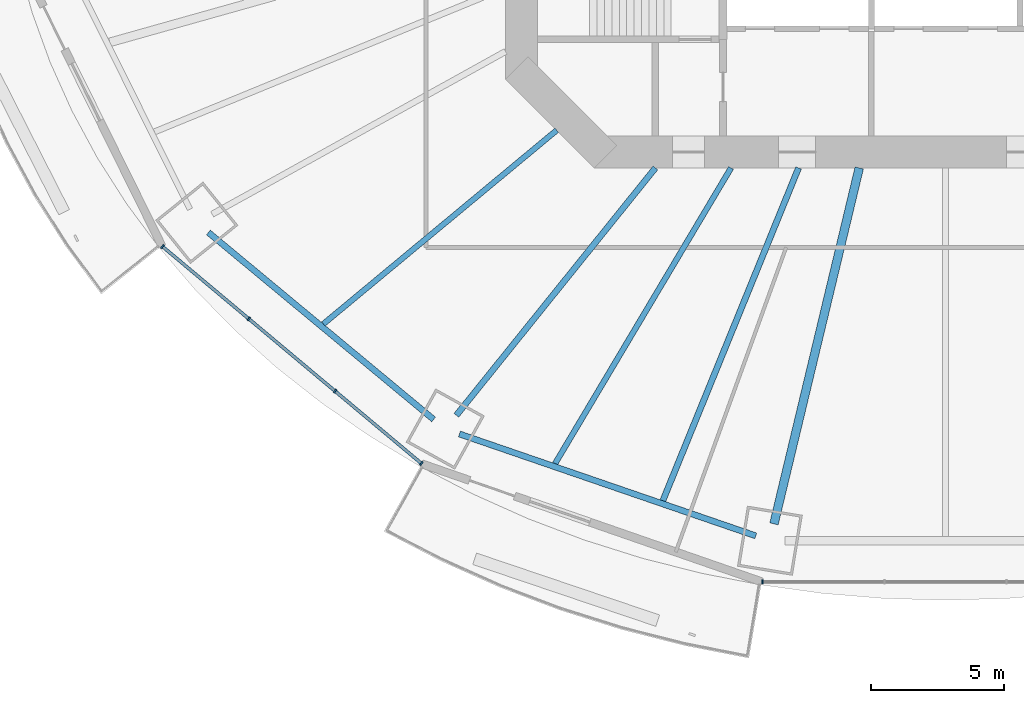
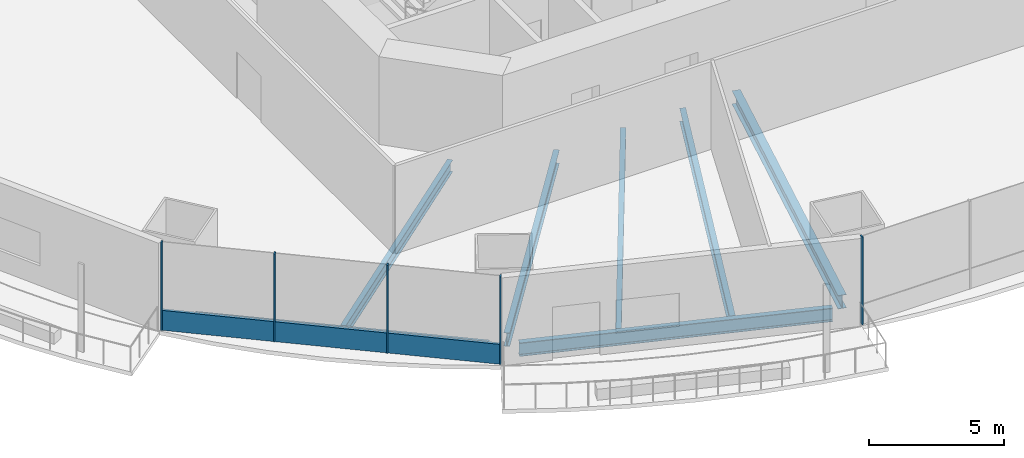
# One storey, part 2 of 22: 7 beams, 6 members, 2 elements without a shape of their own.
"""IFC4 building model written with IfcOpenShell, lengths in metres."""

from ifc_helpers import new_model, si_unit, direction, frame, origin, origin_2d, place, context, subcontext, project, spatial, rectangle, i_section, extrude, material, material_profile, profile_set, type_object, element, aggregate, save


model = new_model("IFC4")

# Units and contexts
model_context = context("Model", 3, precision=1e-05, world=origin(), true_north=direction((0.0, 1.0)))
body_context = subcontext(model_context, "Body", "Model", "MODEL_VIEW")
ifc_project = project(units=[si_unit("LENGTHUNIT", "METRE"), si_unit("AREAUNIT", "SQUARE_METRE"), si_unit("VOLUMEUNIT", "CUBIC_METRE"), si_unit("PLANEANGLEUNIT", "RADIAN"), si_unit("MASSUNIT", "GRAM", prefix="KILO")], contexts=[model_context])

# Site, building, storey
site_placement = place(None, origin())
site = spatial("IfcSite", under=ifc_project, at=site_placement, CompositionType="ELEMENT")
building_placement = place(site_placement, origin())
building = spatial("IfcBuilding", under=site, at=building_placement, Name="Marenthal Gate Tower", CompositionType="ELEMENT")
storey_placement = place(building_placement, frame((0.0, 0.0, 78.64990234375)))
storey = spatial("IfcBuildingStorey", under=building, at=storey_placement, Name="L15", CompositionType="ELEMENT", Elevation=78.64990234375)

# Curtain wall, members
ifc_material_1 = material(Name="Aluminium and glass", Category="aluminium")
curtain_wall_type = type_object("IfcCurtainWallType", Name="Curtain wall typical low", PredefinedType="NOTDEFINED", material=ifc_material_1)
curtain_wall_1_placement = place(storey_placement, origin())
curtain_wall_1 = element("IfcCurtainWall", 1, at=curtain_wall_1_placement, inside=storey, type_object=curtain_wall_type, Name="Curtain wall L15 bay 10", PredefinedType="NOTDEFINED")
ifc_material_2 = material(Name="Aluminium", Category="aluminium")
ifc_material_profile_1 = material_profile(ifc_material_2, rectangle(XDim=0.159912109375, YDim=0.06005859375, at=origin_2d()), Name="60x160 aluminium mullion")
ifc_profile_set_1 = profile_set([ifc_material_profile_1], Name="Aluminium")
member_type_1 = type_object("IfcMemberType", Name="Mullion 60x160 typical low", PredefinedType="MULLION", material=ifc_profile_set_1)
member_1_placement = place(storey_placement, frame((-29.5380859375, -16.56640625, 0.0), z_axis=(0.0, 0.0, 1.0), x_axis=(0.642176178992, 0.76655707885, 0.0)))
member_1 = element("IfcMember", 2, at=member_1_placement, type_object=member_type_1, Name="Mullion L15 bay 10.1", PredefinedType="MULLION", context=body_context, shape_type="SweptSolid", body=[
    extrude(rectangle(XDim=0.159912109375, YDim=0.06005859375, at=origin_2d()), origin(), (0.0, 0.0, 1.0), 3.97021484375),
])
member_2_placement = place(storey_placement, frame((-26.283935546875, -19.292724609375, 0.0), z_axis=(0.0, 0.0, 1.0), x_axis=(0.642176178992, 0.76655707885, 0.0)))
member_2 = element("IfcMember", 3, at=member_2_placement, type_object=member_type_1, Name="Mullion L15 bay 10.2", PredefinedType="MULLION", context=body_context, shape_type="SweptSolid", body=[
    extrude(rectangle(XDim=0.159912109375, YDim=0.06005859375, at=origin_2d()), origin(), (0.0, 0.0, 1.0), 3.97021484375),
])
member_3_placement = place(storey_placement, frame((-23.029541015625, -22.01904296875, 0.0), z_axis=(0.0, 0.0, 1.0), x_axis=(0.642176178992, 0.76655707885, 0.0)))
member_3 = element("IfcMember", 4, at=member_3_placement, type_object=member_type_1, Name="Mullion L15 bay 10.3", PredefinedType="MULLION", context=body_context, shape_type="SweptSolid", body=[
    extrude(rectangle(XDim=0.159912109375, YDim=0.06005859375, at=origin_2d()), origin(), (0.0, 0.0, 1.0), 3.97021484375),
])
member_4_placement = place(storey_placement, frame((-19.775146484375, -24.745361328125, 0.0), z_axis=(0.0, 0.0, 1.0), x_axis=(0.642176178992, 0.76655707885, 0.0)))
member_4 = element("IfcMember", 5, at=member_4_placement, type_object=member_type_1, Name="Mullion L15 bay 10.4", PredefinedType="MULLION", context=body_context, shape_type="SweptSolid", body=[
    extrude(rectangle(XDim=0.159912109375, YDim=0.06005859375, at=origin_2d()), origin(), (0.0, 0.0, 1.0), 3.97021484375),
])

# Curtain wall, member
curtain_wall_2_placement = place(storey_placement, origin())
curtain_wall_2 = element("IfcCurtainWall", 6, at=curtain_wall_2_placement, inside=storey, type_object=curtain_wall_type, Name="Curtain wall L15 bay 12", PredefinedType="NOTDEFINED")
member_5_placement = place(storey_placement, frame((-6.906005859375, -29.211669921875, 0.0), z_axis=(0.0, 0.0, 1.0), x_axis=(0.0, 1.0, 0.0)))
member_5 = element("IfcMember", 7, at=member_5_placement, type_object=member_type_1, Name="Mullion L15 bay 12.1", PredefinedType="MULLION", context=body_context, shape_type="SweptSolid", body=[
    extrude(rectangle(XDim=0.159912109375, YDim=0.06005859375, at=origin_2d()), origin(), (0.0, 0.0, 1.0), 3.97021484375),
])
aggregate(curtain_wall_2, [member_5])

# Member
ifc_material_3 = material(Name="Aluminium", Category="aluminium")
ifc_material_profile_2 = material_profile(ifc_material_3, rectangle(XDim=0.1201171875, YDim=0.89990234375, at=origin_2d()), Name="120x900 aluminium transom")
ifc_profile_set_2 = profile_set([ifc_material_profile_2], Name="Aluminium")
member_type_2 = type_object("IfcMemberType", Name="Transom 120x900 typical low", PredefinedType="USERDEFINED", material=ifc_profile_set_2)
member_6_placement = place(storey_placement, frame((-29.51513671875, -16.585693359375, 0.4501953125), z_axis=(0.766556354324, -0.642177043849, 0.0), x_axis=(0.642177043849, 0.766556354324, 0.0)))
member_6 = element("IfcMember", 8, at=member_6_placement, type_object=member_type_2, Name="Transom L15 bay 10", ObjectType="TRANSOM", PredefinedType="USERDEFINED", context=body_context, shape_type="SweptSolid", body=[
    extrude(rectangle(XDim=0.1201171875, YDim=0.89990234375, at=origin_2d()), origin(), (0.0, 0.0, 1.0), 12.67626953125),
])

aggregate(curtain_wall_1, [member_1, member_2, member_3, member_4, member_6])

# Beams
ifc_material_4 = material(Name="Steel S355", Category="steel")
ifc_material_profile_3 = material_profile(ifc_material_4, i_section(OverallWidth=0.2099609375, OverallDepth=0.535888671875, WebThickness=0.010986328125, FlangeThickness=0.017333984375, FilletRadius=0.0126953125, at=origin_2d()), Name="W530X101")
ifc_profile_set_3 = profile_set([ifc_material_profile_3], Name="Steel S355")
beam_type_1 = type_object("IfcBeamType", Name="W530X101 beam", PredefinedType="BEAM", material=ifc_profile_set_3)
beam_1_placement = place(storey_placement, frame((-23.47119140625, -19.485595703125, -0.447998046875), z_axis=(0.769402561639, 0.638764196041, 0.0), x_axis=(-0.638764196041, 0.769402561639, 0.0)))
element("IfcBeam", 9, at=beam_1_placement, inside=storey, type_object=beam_type_1, Name="BM-L15-31", PredefinedType="BEAM", context=body_context, shape_type="SweptSolid", body=[
    extrude(i_section(OverallWidth=0.2099609375, OverallDepth=0.535888671875, WebThickness=0.010986328125, FlangeThickness=0.017333984375, FilletRadius=0.0126953125, at=origin_2d()), origin(), (0.0, 0.0, 1.0), 11.439208984375),
])
ifc_material_5 = material(Name="Steel S355", Category="steel")
ifc_material_profile_4 = material_profile(ifc_material_5, i_section(OverallWidth=0.2119140625, OverallDepth=0.5439453125, WebThickness=0.01318359375, FlangeThickness=0.021240234375, FilletRadius=0.0126953125, at=origin_2d()), Name="W530X123")
ifc_profile_set_4 = profile_set([ifc_material_profile_4], Name="Steel S355")
beam_type_2 = type_object("IfcBeamType", Name="W530X123 beam", PredefinedType="BEAM", material=ifc_profile_set_4)
beam_2_placement = place(storey_placement, frame((-14.732421875, -24.754150390625, -0.451904296875), z_axis=(0.511433266122, 0.859322997658, 0.0), x_axis=(-0.859322997658, 0.511433266122, 0.0)))
element("IfcBeam", 10, at=beam_2_placement, inside=storey, type_object=beam_type_2, Name="BM-L15-32", PredefinedType="BEAM", context=body_context, shape_type="SweptSolid", body=[
    extrude(i_section(OverallWidth=0.2119140625, OverallDepth=0.5439453125, WebThickness=0.01318359375, FlangeThickness=0.021240234375, FilletRadius=0.0126953125, at=origin_2d()), origin(), (0.0, 0.0, 1.0), 12.97998046875),
])
ifc_material_6 = material(Name="Steel S355", Category="steel")
ifc_material_profile_5 = material_profile(ifc_material_6, i_section(OverallWidth=0.22900390625, OverallDepth=0.612060546875, WebThickness=0.011962890625, FlangeThickness=0.01953125, FilletRadius=0.0126953125, at=origin_2d()), Name="W610X125")
ifc_profile_set_5 = profile_set([ifc_material_profile_5], Name="Steel S355")
beam_type_3 = type_object("IfcBeamType", Name="W610X125 beam", PredefinedType="BEAM", material=ifc_profile_set_5)
beam_3_placement = place(storey_placement, frame((-18.456298828125, -22.93115234375, -0.48583984375), z_axis=(0.62700397479, 0.779016056059, 0.0), x_axis=(-0.779016056059, 0.62700397479, 0.0)))
element("IfcBeam", 11, at=beam_3_placement, inside=storey, type_object=beam_type_3, Name="BM-L15-11", PredefinedType="BEAM", context=body_context, shape_type="SweptSolid", body=[
    extrude(i_section(OverallWidth=0.22900390625, OverallDepth=0.612060546875, WebThickness=0.011962890625, FlangeThickness=0.01953125, FilletRadius=0.0126953125, at=origin_2d()), origin(), (0.0, 0.0, 1.0), 11.97802734375),
])
beam_4_placement = place(storey_placement, frame((-10.666748046875, -26.152099609375, -0.48583984375), z_axis=(0.377666991807, 0.925941490214, 0.0), x_axis=(-0.925941490214, 0.377666991807, 0.0)))
element("IfcBeam", 12, at=beam_4_placement, inside=storey, type_object=beam_type_3, Name="BM-L15-33", PredefinedType="BEAM", context=body_context, shape_type="SweptSolid", body=[
    extrude(i_section(OverallWidth=0.22900390625, OverallDepth=0.612060546875, WebThickness=0.011962890625, FlangeThickness=0.01953125, FilletRadius=0.0126953125, at=origin_2d()), origin(), (0.0, 0.0, 1.0), 13.555908203125),
])
beam_5_placement = place(storey_placement, frame((-27.807861328125, -16.0341796875, -0.48583984375), z_axis=(0.769405168871, -0.638761055571, 0.0), x_axis=(0.638761055571, 0.769405168871, 0.0)))
element("IfcBeam", 13, at=beam_5_placement, inside=storey, type_object=beam_type_3, Name="BM-L15-50", PredefinedType="BEAM", context=body_context, shape_type="SweptSolid", body=[
    extrude(i_section(OverallWidth=0.22900390625, OverallDepth=0.612060546875, WebThickness=0.011962890625, FlangeThickness=0.01953125, FilletRadius=0.0126953125, at=origin_2d()), origin(), (0.0, 0.0, 1.0), 11.04248046875),
])
beam_6_placement = place(storey_placement, frame((-18.3388671875, -23.635009765625, -0.48583984375), z_axis=(0.94564769726, -0.325192916076, 0.0), x_axis=(0.325192916076, 0.94564769726, 0.0)))
element("IfcBeam", 14, at=beam_6_placement, inside=storey, type_object=beam_type_3, Name="BM-L15-51", PredefinedType="BEAM", context=body_context, shape_type="SweptSolid", body=[
    extrude(i_section(OverallWidth=0.22900390625, OverallDepth=0.612060546875, WebThickness=0.011962890625, FlangeThickness=0.01953125, FilletRadius=0.0126953125, at=origin_2d()), origin(), (0.0, 0.0, 1.0), 11.819091796875),
])
ifc_material_7 = material(Name="Steel S355", Category="steel")
ifc_material_profile_6 = material_profile(ifc_material_7, i_section(OverallWidth=0.324951171875, OverallDepth=0.612060546875, WebThickness=0.0126953125, FlangeThickness=0.01904296875, FilletRadius=0.0126953125, at=origin_2d()), Name="W610X155")
ifc_profile_set_6 = profile_set([ifc_material_profile_6], Name="Steel S355")
beam_type_4 = type_object("IfcBeamType", Name="W610X155 beam", PredefinedType="BEAM", material=ifc_profile_set_6)
beam_7_placement = place(storey_placement, frame((-6.4755859375, -27.027099609375, -0.48583984375), z_axis=(0.233000428797, 0.972476632203, 0.0), x_axis=(-0.972476632203, 0.233000428797, 0.0)))
element("IfcBeam", 15, at=beam_7_placement, inside=storey, type_object=beam_type_4, Name="BM-L15-12", PredefinedType="BEAM", context=body_context, shape_type="SweptSolid", body=[
    extrude(i_section(OverallWidth=0.324951171875, OverallDepth=0.612060546875, WebThickness=0.0126953125, FlangeThickness=0.01904296875, FilletRadius=0.0126953125, at=origin_2d()), origin(), (0.0, 0.0, 1.0), 13.80712890625),
])

save(model, "model.ifc")
